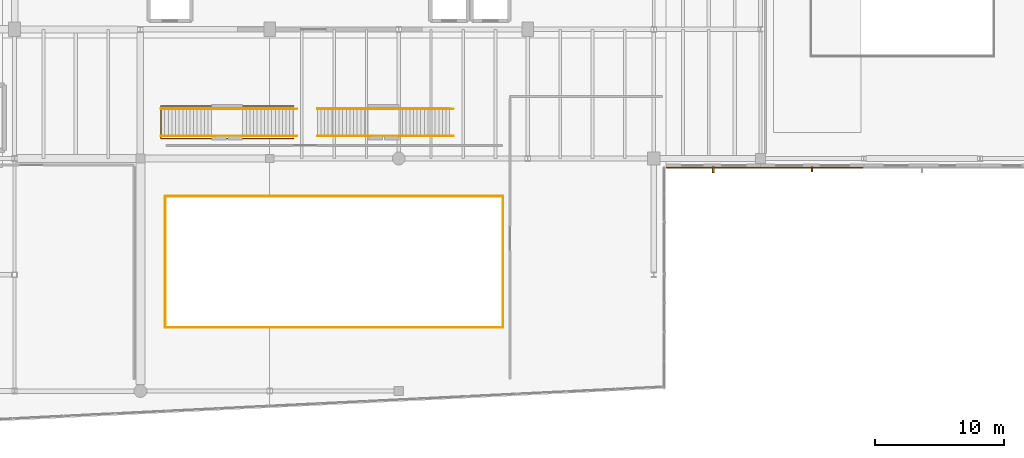
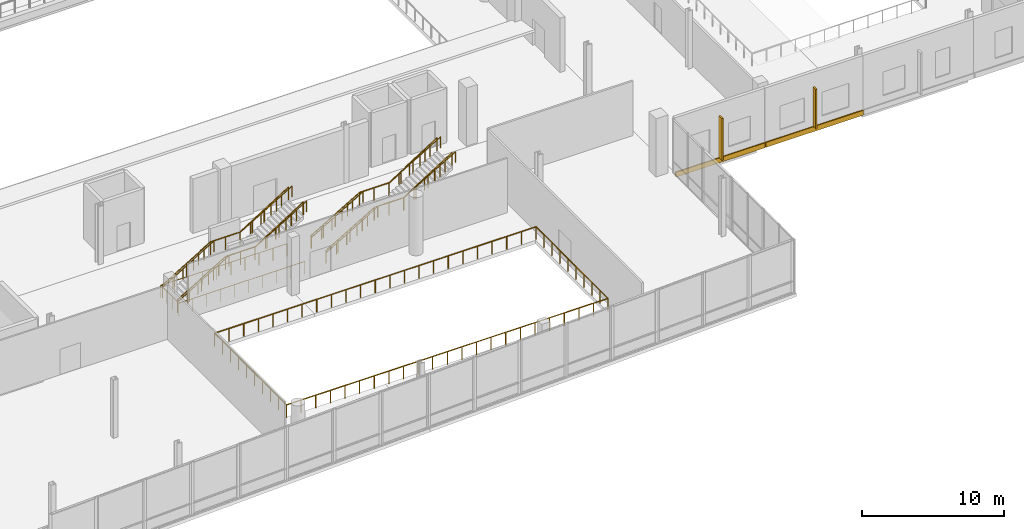
# One storey, part 71 of 81: 17 railings, 2 coverings, 2 shading devices.
"""IFC4 building model written with IfcOpenShell, lengths in metres."""

from ifc_helpers import new_model, si_unit, direction, frame, origin, origin_2d, place, context, subcontext, project, spatial, rectangle, circle, extrude, material, layer, layer_set, type_object, element, save


model = new_model("IFC4")

# Units and contexts
model_context = context("Model", 3, precision=1e-05, world=origin(), true_north=direction((0.0, 1.0)))
body_context = subcontext(model_context, "Body", "Model", "MODEL_VIEW")
ifc_project = project(units=[si_unit("LENGTHUNIT", "METRE"), si_unit("AREAUNIT", "SQUARE_METRE"), si_unit("VOLUMEUNIT", "CUBIC_METRE"), si_unit("PLANEANGLEUNIT", "RADIAN"), si_unit("MASSUNIT", "GRAM", prefix="KILO")], contexts=[model_context])

# Site, building, storey
site_placement = place(None, origin())
site = spatial("IfcSite", under=ifc_project, at=site_placement, CompositionType="ELEMENT")
building_placement = place(site_placement, origin())
building = spatial("IfcBuilding", under=site, at=building_placement, Name="Trimount Lyric Opera House", CompositionType="ELEMENT")
storey_placement = place(building_placement, frame((0.0, 0.0, 5.0)))
storey = spatial("IfcBuildingStorey", under=building, at=storey_placement, Name="L01", CompositionType="ELEMENT", Elevation=5.0)

# Coverings
ifc_material_1 = material(Name="Architectural Precast Concrete Spandrel Band", Category="concrete")
ifc_layer = layer(ifc_material_1, 0.094970703125)
ifc_layer_set = layer_set([ifc_layer], Name="CLD-WING1")
covering_type = type_object("IfcCoveringType", Name="CLD-WING1", PredefinedType="CLADDING", material=ifc_layer_set)
covering_1_placement = place(storey_placement, frame((126.0, 43.278564453125, -0.369873046875), z_axis=(0.0, 0.0, 1.0), x_axis=(-1.0, 0.0, 0.0)))
element("IfcCovering", 1, at=covering_1_placement, inside=storey, type_object=covering_type, Name="L01 precast slab-edge spandrel 152", PredefinedType="CLADDING", context=body_context, shape_type="SweptSolid", body=[
    extrude(rectangle(XDim=7.93994140625, YDim=0.094970703125, at=origin_2d()), origin(), (0.0, 0.0, 1.0), 0.419921875),
])
covering_2_placement = place(storey_placement, frame((118.340087890625, 43.278564453125, -0.369873046875), z_axis=(0.0, 0.0, 1.0), x_axis=(-1.0, 0.0, 0.0)))
element("IfcCovering", 2, at=covering_2_placement, inside=storey, type_object=covering_type, Name="L01 precast slab-edge spandrel 153", PredefinedType="CLADDING", context=body_context, shape_type="SweptSolid", body=[
    extrude(rectangle(XDim=7.260009765625, YDim=0.094970703125, at=origin_2d()), origin(), (0.0, 0.0, 1.0), 0.419921875),
])

# Railings
ifc_material_2 = material(Name="Bronze and Laminated Acoustic Glass", Category="glass")
railing_type_1 = type_object("IfcRailingType", Name="RL-BAL112", PredefinedType="BALUSTRADE", material=ifc_material_2)
railing_1_placement = place(storey_placement, frame((75.60009765625, 45.75, 0.166748046875)))
element("IfcRailing", 3, at=railing_1_placement, inside=storey, type_object=railing_type_1, Name="Winter-Garden Upper Promenade Stair balustrade S", PredefinedType="BALUSTRADE", context=body_context, shape_type="SweptSolid", body=[
    extrude(circle(Radius=0.02734375, at=origin_2d()), frame((0.0, 0.0, 1.0927734375), z_axis=(0.859296244711, 0.0, 0.511478214419), x_axis=(0.0, 1.0, 0.0)), (0.0, 0.0, 1.0), 4.561767578125),
    extrude(circle(Radius=0.02734375, at=origin_2d()), frame((3.919921875, 0.0, 3.42578125), z_axis=(1.0, 0.0, 0.0), x_axis=(0.0, 1.0, 0.0)), (0.0, 0.0, 1.0), 2.39990234375),
    extrude(circle(Radius=0.02734375, at=origin_2d()), frame((6.31982421875, 0.0, 3.42578125), z_axis=(0.843140013903, 0.0, 0.53769407376), x_axis=(0.0, 1.0, 0.0)), (0.0, 0.0, 1.0), 4.6494140625),
    extrude(circle(Radius=0.02099609375, at=origin_2d()), origin(), (0.0, 0.0, 1.0), 1.065185546875),
    extrude(circle(Radius=0.02099609375, at=origin_2d()), frame((0.97998046875, 0.0, 0.583251953125)), (0.0, 0.0, 1.0), 1.065185546875),
    extrude(circle(Radius=0.02099609375, at=origin_2d()), frame((1.9599609375, 0.0, 1.16650390625)), (0.0, 0.0, 1.0), 1.065185546875),
    extrude(circle(Radius=0.02099609375, at=origin_2d()), frame((2.93994140625, 0.0, 1.75)), (0.0, 0.0, 1.0), 1.065185546875),
    extrude(circle(Radius=0.02099609375, at=origin_2d()), frame((3.919921875, 0.0, 2.333251953125)), (0.0, 0.0, 1.0), 1.065185546875),
    extrude(circle(Radius=0.02099609375, at=origin_2d()), frame((5.119873046875, 0.0, 2.333251953125)), (0.0, 0.0, 1.0), 1.065185546875),
    extrude(circle(Radius=0.02099609375, at=origin_2d()), frame((6.31982421875, 0.0, 2.333251953125)), (0.0, 0.0, 1.0), 1.065185546875),
    extrude(circle(Radius=0.02099609375, at=origin_2d()), frame((7.2998046875, 0.0, 2.958251953125)), (0.0, 0.0, 1.0), 1.065185546875),
    extrude(circle(Radius=0.02099609375, at=origin_2d()), frame((8.27978515625, 0.0, 3.583251953125)), (0.0, 0.0, 1.0), 1.065185546875),
    extrude(circle(Radius=0.02099609375, at=origin_2d()), frame((9.260009765625, 0.0, 4.208251953125)), (0.0, 0.0, 1.0), 1.065185546875),
    extrude(circle(Radius=0.02099609375, at=origin_2d()), frame((10.239990234375, 0.0, 4.833251953125)), (0.0, 0.0, 1.0), 1.065185546875),
])
railing_2_placement = place(storey_placement, frame((75.60009765625, 47.85009765625, 0.166748046875)))
element("IfcRailing", 4, at=railing_2_placement, inside=storey, type_object=railing_type_1, Name="Winter-Garden Upper Promenade Stair balustrade N", PredefinedType="BALUSTRADE", context=body_context, shape_type="SweptSolid", body=[
    extrude(circle(Radius=0.02734375, at=origin_2d()), frame((0.0, 0.0, 1.0927734375), z_axis=(0.859296244711, 0.0, 0.511478214419), x_axis=(0.0, 1.0, 0.0)), (0.0, 0.0, 1.0), 4.561767578125),
    extrude(circle(Radius=0.02734375, at=origin_2d()), frame((3.919921875, 0.0, 3.42578125), z_axis=(1.0, 0.0, 0.0), x_axis=(0.0, 1.0, 0.0)), (0.0, 0.0, 1.0), 2.39990234375),
    extrude(circle(Radius=0.02734375, at=origin_2d()), frame((6.31982421875, 0.0, 3.42578125), z_axis=(0.843140013903, 0.0, 0.53769407376), x_axis=(0.0, 1.0, 0.0)), (0.0, 0.0, 1.0), 4.6494140625),
    extrude(circle(Radius=0.02099609375, at=origin_2d()), origin(), (0.0, 0.0, 1.0), 1.065185546875),
    extrude(circle(Radius=0.02099609375, at=origin_2d()), frame((0.97998046875, 0.0, 0.583251953125)), (0.0, 0.0, 1.0), 1.065185546875),
    extrude(circle(Radius=0.02099609375, at=origin_2d()), frame((1.9599609375, 0.0, 1.16650390625)), (0.0, 0.0, 1.0), 1.065185546875),
    extrude(circle(Radius=0.02099609375, at=origin_2d()), frame((2.93994140625, 0.0, 1.75)), (0.0, 0.0, 1.0), 1.065185546875),
    extrude(circle(Radius=0.02099609375, at=origin_2d()), frame((3.919921875, 0.0, 2.333251953125)), (0.0, 0.0, 1.0), 1.065185546875),
    extrude(circle(Radius=0.02099609375, at=origin_2d()), frame((5.119873046875, 0.0, 2.333251953125)), (0.0, 0.0, 1.0), 1.065185546875),
    extrude(circle(Radius=0.02099609375, at=origin_2d()), frame((6.31982421875, 0.0, 2.333251953125)), (0.0, 0.0, 1.0), 1.065185546875),
    extrude(circle(Radius=0.02099609375, at=origin_2d()), frame((7.2998046875, 0.0, 2.958251953125)), (0.0, 0.0, 1.0), 1.065185546875),
    extrude(circle(Radius=0.02099609375, at=origin_2d()), frame((8.27978515625, 0.0, 3.583251953125)), (0.0, 0.0, 1.0), 1.065185546875),
    extrude(circle(Radius=0.02099609375, at=origin_2d()), frame((9.260009765625, 0.0, 4.208251953125)), (0.0, 0.0, 1.0), 1.065185546875),
    extrude(circle(Radius=0.02099609375, at=origin_2d()), frame((10.239990234375, 0.0, 4.833251953125)), (0.0, 0.0, 1.0), 1.065185546875),
])
railing_3_placement = place(storey_placement, frame((87.699951171875, 45.75, 0.166748046875)))
element("IfcRailing", 5, at=railing_3_placement, inside=storey, type_object=railing_type_1, Name="Winter-Garden East Promenade Stair balustrade S", PredefinedType="BALUSTRADE", context=body_context, shape_type="SweptSolid", body=[
    extrude(circle(Radius=0.02734375, at=origin_2d()), frame((0.0, 0.0, 1.0927734375), z_axis=(0.859310244771, 0.0, 0.511454693235), x_axis=(0.0, 1.0, 0.0)), (0.0, 0.0, 1.0), 4.56201171875),
    extrude(circle(Radius=0.02734375, at=origin_2d()), frame((3.920166015625, 0.0, 3.42578125), z_axis=(1.0, 0.0, 0.0), x_axis=(0.0, 1.0, 0.0)), (0.0, 0.0, 1.0), 2.39990234375),
    extrude(circle(Radius=0.02734375, at=origin_2d()), frame((6.320068359375, 0.0, 3.42578125), z_axis=(0.843124831705, 0.0, 0.537717879712), x_axis=(0.0, 1.0, 0.0)), (0.0, 0.0, 1.0), 4.649169921875),
    extrude(circle(Radius=0.02099609375, at=origin_2d()), origin(), (0.0, 0.0, 1.0), 1.065185546875),
    extrude(circle(Radius=0.02099609375, at=origin_2d()), frame((0.97998046875, 0.0, 0.583251953125)), (0.0, 0.0, 1.0), 1.065185546875),
    extrude(circle(Radius=0.02099609375, at=origin_2d()), frame((1.9599609375, 0.0, 1.16650390625)), (0.0, 0.0, 1.0), 1.065185546875),
    extrude(circle(Radius=0.02099609375, at=origin_2d()), frame((2.940185546875, 0.0, 1.75)), (0.0, 0.0, 1.0), 1.065185546875),
    extrude(circle(Radius=0.02099609375, at=origin_2d()), frame((3.920166015625, 0.0, 2.333251953125)), (0.0, 0.0, 1.0), 1.065185546875),
    extrude(circle(Radius=0.02099609375, at=origin_2d()), frame((5.1201171875, 0.0, 2.333251953125)), (0.0, 0.0, 1.0), 1.065185546875),
    extrude(circle(Radius=0.02099609375, at=origin_2d()), frame((6.320068359375, 0.0, 2.333251953125)), (0.0, 0.0, 1.0), 1.065185546875),
    extrude(circle(Radius=0.02099609375, at=origin_2d()), frame((7.300048828125, 0.0, 2.958251953125)), (0.0, 0.0, 1.0), 1.065185546875),
    extrude(circle(Radius=0.02099609375, at=origin_2d()), frame((8.280029296875, 0.0, 3.583251953125)), (0.0, 0.0, 1.0), 1.065185546875),
    extrude(circle(Radius=0.02099609375, at=origin_2d()), frame((9.260009765625, 0.0, 4.208251953125)), (0.0, 0.0, 1.0), 1.065185546875),
    extrude(circle(Radius=0.02099609375, at=origin_2d()), frame((10.239990234375, 0.0, 4.833251953125)), (0.0, 0.0, 1.0), 1.065185546875),
])
railing_4_placement = place(storey_placement, frame((87.699951171875, 47.85009765625, 0.166748046875)))
element("IfcRailing", 6, at=railing_4_placement, inside=storey, type_object=railing_type_1, Name="Winter-Garden East Promenade Stair balustrade N", PredefinedType="BALUSTRADE", context=body_context, shape_type="SweptSolid", body=[
    extrude(circle(Radius=0.02734375, at=origin_2d()), frame((0.0, 0.0, 1.0927734375), z_axis=(0.859310244771, 0.0, 0.511454693235), x_axis=(0.0, 1.0, 0.0)), (0.0, 0.0, 1.0), 4.56201171875),
    extrude(circle(Radius=0.02734375, at=origin_2d()), frame((3.920166015625, 0.0, 3.42578125), z_axis=(1.0, 0.0, 0.0), x_axis=(0.0, 1.0, 0.0)), (0.0, 0.0, 1.0), 2.39990234375),
    extrude(circle(Radius=0.02734375, at=origin_2d()), frame((6.320068359375, 0.0, 3.42578125), z_axis=(0.843124831705, 0.0, 0.537717879712), x_axis=(0.0, 1.0, 0.0)), (0.0, 0.0, 1.0), 4.649169921875),
    extrude(circle(Radius=0.02099609375, at=origin_2d()), origin(), (0.0, 0.0, 1.0), 1.065185546875),
    extrude(circle(Radius=0.02099609375, at=origin_2d()), frame((0.97998046875, 0.0, 0.583251953125)), (0.0, 0.0, 1.0), 1.065185546875),
    extrude(circle(Radius=0.02099609375, at=origin_2d()), frame((1.9599609375, 0.0, 1.16650390625)), (0.0, 0.0, 1.0), 1.065185546875),
    extrude(circle(Radius=0.02099609375, at=origin_2d()), frame((2.940185546875, 0.0, 1.75)), (0.0, 0.0, 1.0), 1.065185546875),
    extrude(circle(Radius=0.02099609375, at=origin_2d()), frame((3.920166015625, 0.0, 2.333251953125)), (0.0, 0.0, 1.0), 1.065185546875),
    extrude(circle(Radius=0.02099609375, at=origin_2d()), frame((5.1201171875, 0.0, 2.333251953125)), (0.0, 0.0, 1.0), 1.065185546875),
    extrude(circle(Radius=0.02099609375, at=origin_2d()), frame((6.320068359375, 0.0, 2.333251953125)), (0.0, 0.0, 1.0), 1.065185546875),
    extrude(circle(Radius=0.02099609375, at=origin_2d()), frame((7.300048828125, 0.0, 2.958251953125)), (0.0, 0.0, 1.0), 1.065185546875),
    extrude(circle(Radius=0.02099609375, at=origin_2d()), frame((8.280029296875, 0.0, 3.583251953125)), (0.0, 0.0, 1.0), 1.065185546875),
    extrude(circle(Radius=0.02099609375, at=origin_2d()), frame((9.260009765625, 0.0, 4.208251953125)), (0.0, 0.0, 1.0), 1.065185546875),
    extrude(circle(Radius=0.02099609375, at=origin_2d()), frame((10.239990234375, 0.0, 4.833251953125)), (0.0, 0.0, 1.0), 1.065185546875),
])
railing_5_placement = place(storey_placement, frame((85.85009765625, 45.5400390625, 0.0)))
element("IfcRailing", 7, at=railing_5_placement, inside=storey, type_object=railing_type_1, Name="L01 feature stair well guard G1", PredefinedType="BALUSTRADE", context=body_context, shape_type="SweptSolid", body=[
    extrude(circle(Radius=0.02734375, at=origin_2d()), frame((0.0, 0.0, 1.0927734375), z_axis=(-1.0, 0.0, 0.0), x_axis=(0.0, -1.0, 0.0)), (0.0, 0.0, 1.0), 10.260009765625),
    extrude(circle(Radius=0.02734375, at=origin_2d()), frame((-10.260009765625, 0.0, 1.0927734375), z_axis=(0.0, 1.0, 0.0), x_axis=(-1.0, 0.0, 0.0)), (0.0, 0.0, 1.0), 2.52001953125),
    extrude(circle(Radius=0.02734375, at=origin_2d()), frame((-10.260009765625, 2.52001953125, 1.0927734375), z_axis=(1.0, 0.0, 0.0), x_axis=(0.0, 1.0, 0.0)), (0.0, 0.0, 1.0), 10.260009765625),
    extrude(circle(Radius=0.02099609375, at=origin_2d()), origin(), (0.0, 0.0, 1.0), 1.065185546875),
    extrude(circle(Radius=0.02099609375, at=origin_2d()), frame((-1.139892578125, 0.0, 0.0)), (0.0, 0.0, 1.0), 1.065185546875),
    extrude(circle(Radius=0.02099609375, at=origin_2d()), frame((-2.280029296875, 0.0, 0.0)), (0.0, 0.0, 1.0), 1.065185546875),
    extrude(circle(Radius=0.02099609375, at=origin_2d()), frame((-3.419921875, 0.0, 0.0)), (0.0, 0.0, 1.0), 1.065185546875),
    extrude(circle(Radius=0.02099609375, at=origin_2d()), frame((-4.56005859375, 0.0, 0.0)), (0.0, 0.0, 1.0), 1.065185546875),
    extrude(circle(Radius=0.02099609375, at=origin_2d()), frame((-5.699951171875, 0.0, 0.0)), (0.0, 0.0, 1.0), 1.065185546875),
    extrude(circle(Radius=0.02099609375, at=origin_2d()), frame((-6.840087890625, 0.0, 0.0)), (0.0, 0.0, 1.0), 1.065185546875),
    extrude(circle(Radius=0.02099609375, at=origin_2d()), frame((-7.97998046875, 0.0, 0.0)), (0.0, 0.0, 1.0), 1.065185546875),
    extrude(circle(Radius=0.02099609375, at=origin_2d()), frame((-9.1201171875, 0.0, 0.0)), (0.0, 0.0, 1.0), 1.065185546875),
    extrude(circle(Radius=0.02099609375, at=origin_2d()), frame((-10.260009765625, 0.0, 0.0)), (0.0, 0.0, 1.0), 1.065185546875),
    extrude(circle(Radius=0.02099609375, at=origin_2d()), frame((-10.260009765625, 0.840087890625, 0.0)), (0.0, 0.0, 1.0), 1.065185546875),
    extrude(circle(Radius=0.02099609375, at=origin_2d()), frame((-10.260009765625, 1.679931640625, 0.0)), (0.0, 0.0, 1.0), 1.065185546875),
    extrude(circle(Radius=0.02099609375, at=origin_2d()), frame((-10.260009765625, 2.52001953125, 0.0)), (0.0, 0.0, 1.0), 1.065185546875),
    extrude(circle(Radius=0.02099609375, at=origin_2d()), frame((-9.1201171875, 2.52001953125, 0.0)), (0.0, 0.0, 1.0), 1.065185546875),
    extrude(circle(Radius=0.02099609375, at=origin_2d()), frame((-7.97998046875, 2.52001953125, 0.0)), (0.0, 0.0, 1.0), 1.065185546875),
    extrude(circle(Radius=0.02099609375, at=origin_2d()), frame((-6.840087890625, 2.52001953125, 0.0)), (0.0, 0.0, 1.0), 1.065185546875),
    extrude(circle(Radius=0.02099609375, at=origin_2d()), frame((-5.699951171875, 2.52001953125, 0.0)), (0.0, 0.0, 1.0), 1.065185546875),
    extrude(circle(Radius=0.02099609375, at=origin_2d()), frame((-4.56005859375, 2.52001953125, 0.0)), (0.0, 0.0, 1.0), 1.065185546875),
    extrude(circle(Radius=0.02099609375, at=origin_2d()), frame((-3.419921875, 2.52001953125, 0.0)), (0.0, 0.0, 1.0), 1.065185546875),
    extrude(circle(Radius=0.02099609375, at=origin_2d()), frame((-2.280029296875, 2.52001953125, 0.0)), (0.0, 0.0, 1.0), 1.065185546875),
    extrude(circle(Radius=0.02099609375, at=origin_2d()), frame((-1.139892578125, 2.52001953125, 0.0)), (0.0, 0.0, 1.0), 1.065185546875),
    extrude(circle(Radius=0.02099609375, at=origin_2d()), frame((0.0, 2.52001953125, 0.0)), (0.0, 0.0, 1.0), 1.065185546875),
])
railing_6_placement = place(storey_placement, frame((75.919921875, 30.919921875, 0.0)))
element("IfcRailing", 8, at=railing_6_placement, inside=storey, type_object=railing_type_1, Name="L01 atrium and balcony guard GRD-WG-L01-S", PredefinedType="BALUSTRADE", context=body_context, shape_type="SweptSolid", body=[
    extrude(circle(Radius=0.02734375, at=origin_2d()), frame((0.0, 0.0, 1.0927734375), z_axis=(1.0, 0.0, 0.0), x_axis=(0.0, 1.0, 0.0)), (0.0, 0.0, 1.0), 26.16015625),
    extrude(circle(Radius=0.02099609375, at=origin_2d()), origin(), (0.0, 0.0, 1.0), 1.065185546875),
    extrude(circle(Radius=0.02099609375, at=origin_2d()), frame((1.189208984375, 0.0, 0.0)), (0.0, 0.0, 1.0), 1.065185546875),
    extrude(circle(Radius=0.02099609375, at=origin_2d()), frame((2.378173828125, 0.0, 0.0)), (0.0, 0.0, 1.0), 1.065185546875),
    extrude(circle(Radius=0.02099609375, at=origin_2d()), frame((3.5673828125, 0.0, 0.0)), (0.0, 0.0, 1.0), 1.065185546875),
    extrude(circle(Radius=0.02099609375, at=origin_2d()), frame((4.75634765625, 0.0, 0.0)), (0.0, 0.0, 1.0), 1.065185546875),
    extrude(circle(Radius=0.02099609375, at=origin_2d()), frame((5.945556640625, 0.0, 0.0)), (0.0, 0.0, 1.0), 1.065185546875),
    extrude(circle(Radius=0.02099609375, at=origin_2d()), frame((7.134521484375, 0.0, 0.0)), (0.0, 0.0, 1.0), 1.065185546875),
    extrude(circle(Radius=0.02099609375, at=origin_2d()), frame((8.32373046875, 0.0, 0.0)), (0.0, 0.0, 1.0), 1.065185546875),
    extrude(circle(Radius=0.02099609375, at=origin_2d()), frame((9.5126953125, 0.0, 0.0)), (0.0, 0.0, 1.0), 1.065185546875),
    extrude(circle(Radius=0.02099609375, at=origin_2d()), frame((10.701904296875, 0.0, 0.0)), (0.0, 0.0, 1.0), 1.065185546875),
    extrude(circle(Radius=0.02099609375, at=origin_2d()), frame((11.890869140625, 0.0, 0.0)), (0.0, 0.0, 1.0), 1.065185546875),
    extrude(circle(Radius=0.02099609375, at=origin_2d()), frame((13.080078125, 0.0, 0.0)), (0.0, 0.0, 1.0), 1.065185546875),
    extrude(circle(Radius=0.02099609375, at=origin_2d()), frame((14.269287109375, 0.0, 0.0)), (0.0, 0.0, 1.0), 1.065185546875),
    extrude(circle(Radius=0.02099609375, at=origin_2d()), frame((15.458251953125, 0.0, 0.0)), (0.0, 0.0, 1.0), 1.065185546875),
    extrude(circle(Radius=0.02099609375, at=origin_2d()), frame((16.6474609375, 0.0, 0.0)), (0.0, 0.0, 1.0), 1.065185546875),
    extrude(circle(Radius=0.02099609375, at=origin_2d()), frame((17.83642578125, 0.0, 0.0)), (0.0, 0.0, 1.0), 1.065185546875),
    extrude(circle(Radius=0.02099609375, at=origin_2d()), frame((19.025634765625, 0.0, 0.0)), (0.0, 0.0, 1.0), 1.065185546875),
    extrude(circle(Radius=0.02099609375, at=origin_2d()), frame((20.214599609375, 0.0, 0.0)), (0.0, 0.0, 1.0), 1.065185546875),
    extrude(circle(Radius=0.02099609375, at=origin_2d()), frame((21.40380859375, 0.0, 0.0)), (0.0, 0.0, 1.0), 1.065185546875),
    extrude(circle(Radius=0.02099609375, at=origin_2d()), frame((22.5927734375, 0.0, 0.0)), (0.0, 0.0, 1.0), 1.065185546875),
    extrude(circle(Radius=0.02099609375, at=origin_2d()), frame((23.781982421875, 0.0, 0.0)), (0.0, 0.0, 1.0), 1.065185546875),
    extrude(circle(Radius=0.02099609375, at=origin_2d()), frame((24.970947265625, 0.0, 0.0)), (0.0, 0.0, 1.0), 1.065185546875),
    extrude(circle(Radius=0.02099609375, at=origin_2d()), frame((26.16015625, 0.0, 0.0)), (0.0, 0.0, 1.0), 1.065185546875),
])
railing_7_placement = place(storey_placement, frame((102.080078125, 30.919921875, 0.0)))
element("IfcRailing", 9, at=railing_7_placement, inside=storey, type_object=railing_type_1, Name="L01 atrium and balcony guard GRD-WG-L01-E", PredefinedType="BALUSTRADE", context=body_context, shape_type="SweptSolid", body=[
    extrude(circle(Radius=0.02734375, at=origin_2d()), frame((0.0, 0.0, 1.0927734375), z_axis=(0.0, 1.0, 0.0), x_axis=(-1.0, 0.0, 0.0)), (0.0, 0.0, 1.0), 10.16015625),
    extrude(circle(Radius=0.02099609375, at=origin_2d()), origin(), (0.0, 0.0, 1.0), 1.065185546875),
    extrude(circle(Radius=0.02099609375, at=origin_2d()), frame((0.0, 1.12890625, 0.0)), (0.0, 0.0, 1.0), 1.065185546875),
    extrude(circle(Radius=0.02099609375, at=origin_2d()), frame((0.0, 2.2578125, 0.0)), (0.0, 0.0, 1.0), 1.065185546875),
    extrude(circle(Radius=0.02099609375, at=origin_2d()), frame((0.0, 3.38671875, 0.0)), (0.0, 0.0, 1.0), 1.065185546875),
    extrude(circle(Radius=0.02099609375, at=origin_2d()), frame((0.0, 4.515625, 0.0)), (0.0, 0.0, 1.0), 1.065185546875),
    extrude(circle(Radius=0.02099609375, at=origin_2d()), frame((0.0, 5.64453125, 0.0)), (0.0, 0.0, 1.0), 1.065185546875),
    extrude(circle(Radius=0.02099609375, at=origin_2d()), frame((0.0, 6.7734375, 0.0)), (0.0, 0.0, 1.0), 1.065185546875),
    extrude(circle(Radius=0.02099609375, at=origin_2d()), frame((0.0, 7.90234375, 0.0)), (0.0, 0.0, 1.0), 1.065185546875),
    extrude(circle(Radius=0.02099609375, at=origin_2d()), frame((0.0, 9.03125, 0.0)), (0.0, 0.0, 1.0), 1.065185546875),
    extrude(circle(Radius=0.02099609375, at=origin_2d()), frame((0.0, 10.16015625, 0.0)), (0.0, 0.0, 1.0), 1.065185546875),
])
railing_8_placement = place(storey_placement, frame((102.080078125, 41.080078125, 0.0)))
element("IfcRailing", 10, at=railing_8_placement, inside=storey, type_object=railing_type_1, Name="L01 atrium and balcony guard GRD-WG-L01-N", PredefinedType="BALUSTRADE", context=body_context, shape_type="SweptSolid", body=[
    extrude(circle(Radius=0.02734375, at=origin_2d()), frame((0.0, 0.0, 1.0927734375), z_axis=(-1.0, 0.0, 0.0), x_axis=(0.0, -1.0, 0.0)), (0.0, 0.0, 1.0), 26.16015625),
    extrude(circle(Radius=0.02099609375, at=origin_2d()), origin(), (0.0, 0.0, 1.0), 1.065185546875),
    extrude(circle(Radius=0.02099609375, at=origin_2d()), frame((-1.189208984375, 0.0, 0.0)), (0.0, 0.0, 1.0), 1.065185546875),
    extrude(circle(Radius=0.02099609375, at=origin_2d()), frame((-2.378173828125, 0.0, 0.0)), (0.0, 0.0, 1.0), 1.065185546875),
    extrude(circle(Radius=0.02099609375, at=origin_2d()), frame((-3.5673828125, 0.0, 0.0)), (0.0, 0.0, 1.0), 1.065185546875),
    extrude(circle(Radius=0.02099609375, at=origin_2d()), frame((-4.75634765625, 0.0, 0.0)), (0.0, 0.0, 1.0), 1.065185546875),
    extrude(circle(Radius=0.02099609375, at=origin_2d()), frame((-5.945556640625, 0.0, 0.0)), (0.0, 0.0, 1.0), 1.065185546875),
    extrude(circle(Radius=0.02099609375, at=origin_2d()), frame((-7.134521484375, 0.0, 0.0)), (0.0, 0.0, 1.0), 1.065185546875),
    extrude(circle(Radius=0.02099609375, at=origin_2d()), frame((-8.32373046875, 0.0, 0.0)), (0.0, 0.0, 1.0), 1.065185546875),
    extrude(circle(Radius=0.02099609375, at=origin_2d()), frame((-9.5126953125, 0.0, 0.0)), (0.0, 0.0, 1.0), 1.065185546875),
    extrude(circle(Radius=0.02099609375, at=origin_2d()), frame((-10.701904296875, 0.0, 0.0)), (0.0, 0.0, 1.0), 1.065185546875),
    extrude(circle(Radius=0.02099609375, at=origin_2d()), frame((-11.890869140625, 0.0, 0.0)), (0.0, 0.0, 1.0), 1.065185546875),
    extrude(circle(Radius=0.02099609375, at=origin_2d()), frame((-13.080078125, 0.0, 0.0)), (0.0, 0.0, 1.0), 1.065185546875),
    extrude(circle(Radius=0.02099609375, at=origin_2d()), frame((-14.269287109375, 0.0, 0.0)), (0.0, 0.0, 1.0), 1.065185546875),
    extrude(circle(Radius=0.02099609375, at=origin_2d()), frame((-15.458251953125, 0.0, 0.0)), (0.0, 0.0, 1.0), 1.065185546875),
    extrude(circle(Radius=0.02099609375, at=origin_2d()), frame((-16.6474609375, 0.0, 0.0)), (0.0, 0.0, 1.0), 1.065185546875),
    extrude(circle(Radius=0.02099609375, at=origin_2d()), frame((-17.83642578125, 0.0, 0.0)), (0.0, 0.0, 1.0), 1.065185546875),
    extrude(circle(Radius=0.02099609375, at=origin_2d()), frame((-19.025634765625, 0.0, 0.0)), (0.0, 0.0, 1.0), 1.065185546875),
    extrude(circle(Radius=0.02099609375, at=origin_2d()), frame((-20.214599609375, 0.0, 0.0)), (0.0, 0.0, 1.0), 1.065185546875),
    extrude(circle(Radius=0.02099609375, at=origin_2d()), frame((-21.40380859375, 0.0, 0.0)), (0.0, 0.0, 1.0), 1.065185546875),
    extrude(circle(Radius=0.02099609375, at=origin_2d()), frame((-22.5927734375, 0.0, 0.0)), (0.0, 0.0, 1.0), 1.065185546875),
    extrude(circle(Radius=0.02099609375, at=origin_2d()), frame((-23.781982421875, 0.0, 0.0)), (0.0, 0.0, 1.0), 1.065185546875),
    extrude(circle(Radius=0.02099609375, at=origin_2d()), frame((-24.970947265625, 0.0, 0.0)), (0.0, 0.0, 1.0), 1.065185546875),
    extrude(circle(Radius=0.02099609375, at=origin_2d()), frame((-26.16015625, 0.0, 0.0)), (0.0, 0.0, 1.0), 1.065185546875),
])
railing_9_placement = place(storey_placement, frame((75.919921875, 41.080078125, 0.0)))
element("IfcRailing", 11, at=railing_9_placement, inside=storey, type_object=railing_type_1, Name="L01 atrium and balcony guard GRD-WG-L01-W", PredefinedType="BALUSTRADE", context=body_context, shape_type="SweptSolid", body=[
    extrude(circle(Radius=0.02734375, at=origin_2d()), frame((0.0, 0.0, 1.0927734375), z_axis=(0.0, -1.0, 0.0), x_axis=(1.0, 0.0, 0.0)), (0.0, 0.0, 1.0), 10.16015625),
    extrude(circle(Radius=0.02099609375, at=origin_2d()), origin(), (0.0, 0.0, 1.0), 1.065185546875),
    extrude(circle(Radius=0.02099609375, at=origin_2d()), frame((0.0, -1.12890625, 0.0)), (0.0, 0.0, 1.0), 1.065185546875),
    extrude(circle(Radius=0.02099609375, at=origin_2d()), frame((0.0, -2.2578125, 0.0)), (0.0, 0.0, 1.0), 1.065185546875),
    extrude(circle(Radius=0.02099609375, at=origin_2d()), frame((0.0, -3.38671875, 0.0)), (0.0, 0.0, 1.0), 1.065185546875),
    extrude(circle(Radius=0.02099609375, at=origin_2d()), frame((0.0, -4.515625, 0.0)), (0.0, 0.0, 1.0), 1.065185546875),
    extrude(circle(Radius=0.02099609375, at=origin_2d()), frame((0.0, -5.64453125, 0.0)), (0.0, 0.0, 1.0), 1.065185546875),
    extrude(circle(Radius=0.02099609375, at=origin_2d()), frame((0.0, -6.7734375, 0.0)), (0.0, 0.0, 1.0), 1.065185546875),
    extrude(circle(Radius=0.02099609375, at=origin_2d()), frame((0.0, -7.90234375, 0.0)), (0.0, 0.0, 1.0), 1.065185546875),
    extrude(circle(Radius=0.02099609375, at=origin_2d()), frame((0.0, -9.03125, 0.0)), (0.0, 0.0, 1.0), 1.065185546875),
    extrude(circle(Radius=0.02099609375, at=origin_2d()), frame((0.0, -10.16015625, 0.0)), (0.0, 0.0, 1.0), 1.065185546875),
])
ifc_material_3 = material(Name="Brushed Stainless Steel 316", Category="steel")
railing_type_2 = type_object("IfcRailingType", Name="RL-HND092", PredefinedType="HANDRAIL", material=ifc_material_3)
railing_10_placement = place(storey_placement, frame((75.60009765625, 45.75, 0.166748046875)))
element("IfcRailing", 12, at=railing_10_placement, inside=storey, type_object=railing_type_2, Name="Winter-Garden Upper Promenade Stair flight 1 handrail S", PredefinedType="HANDRAIL", context=body_context, shape_type="SweptSolid", body=[
    extrude(circle(Radius=0.0224609375, at=origin_2d()), frame((0.0, 0.0, 0.8974609375), z_axis=(0.859004831559, 0.0, 0.51196747881), x_axis=(0.0, 1.0, 0.0)), (0.0, 0.0, 1.0), 4.889404296875),
    extrude(circle(Radius=0.02099609375, at=origin_2d()), origin(), (0.0, 0.0, 1.0), 0.875),
    extrude(circle(Radius=0.02099609375, at=origin_2d()), frame((0.840087890625, 0.0, 0.500732421875)), (0.0, 0.0, 1.0), 0.875),
    extrude(circle(Radius=0.02099609375, at=origin_2d()), frame((1.679931640625, 0.0, 1.001220703125)), (0.0, 0.0, 1.0), 0.875),
    extrude(circle(Radius=0.02099609375, at=origin_2d()), frame((2.52001953125, 0.0, 1.501953125)), (0.0, 0.0, 1.0), 0.875),
    extrude(circle(Radius=0.02099609375, at=origin_2d()), frame((3.35986328125, 0.0, 2.00244140625)), (0.0, 0.0, 1.0), 0.875),
    extrude(circle(Radius=0.02099609375, at=origin_2d()), frame((4.199951171875, 0.0, 2.503173828125)), (0.0, 0.0, 1.0), 0.875),
])
railing_11_placement = place(storey_placement, frame((81.919921875, 45.75, 2.666748046875)))
element("IfcRailing", 13, at=railing_11_placement, inside=storey, type_object=railing_type_2, Name="Winter-Garden Upper Promenade Stair flight 2 handrail S", PredefinedType="HANDRAIL", context=body_context, shape_type="SweptSolid", body=[
    extrude(circle(Radius=0.0224609375, at=origin_2d()), frame((0.0, 0.0, 0.8974609375), z_axis=(0.859017918803, 0.0, 0.511945519733), x_axis=(0.0, 1.0, 0.0)), (0.0, 0.0, 1.0), 4.8896484375),
    extrude(circle(Radius=0.02099609375, at=origin_2d()), origin(), (0.0, 0.0, 1.0), 0.875),
    extrude(circle(Radius=0.02099609375, at=origin_2d()), frame((0.840087890625, 0.0, 0.500732421875)), (0.0, 0.0, 1.0), 0.875),
    extrude(circle(Radius=0.02099609375, at=origin_2d()), frame((1.68017578125, 0.0, 1.001220703125)), (0.0, 0.0, 1.0), 0.875),
    extrude(circle(Radius=0.02099609375, at=origin_2d()), frame((2.52001953125, 0.0, 1.501953125)), (0.0, 0.0, 1.0), 0.875),
    extrude(circle(Radius=0.02099609375, at=origin_2d()), frame((3.360107421875, 0.0, 2.00244140625)), (0.0, 0.0, 1.0), 0.875),
    extrude(circle(Radius=0.02099609375, at=origin_2d()), frame((4.2001953125, 0.0, 2.503173828125)), (0.0, 0.0, 1.0), 0.875),
])
railing_12_placement = place(storey_placement, frame((75.60009765625, 47.85009765625, 0.166748046875)))
element("IfcRailing", 14, at=railing_12_placement, inside=storey, type_object=railing_type_2, Name="Winter-Garden Upper Promenade Stair flight 1 handrail N", PredefinedType="HANDRAIL", context=body_context, shape_type="SweptSolid", body=[
    extrude(circle(Radius=0.0224609375, at=origin_2d()), frame((0.0, 0.0, 0.8974609375), z_axis=(0.859004831559, 0.0, 0.51196747881), x_axis=(0.0, 1.0, 0.0)), (0.0, 0.0, 1.0), 4.889404296875),
    extrude(circle(Radius=0.02099609375, at=origin_2d()), origin(), (0.0, 0.0, 1.0), 0.875),
    extrude(circle(Radius=0.02099609375, at=origin_2d()), frame((0.840087890625, 0.0, 0.500732421875)), (0.0, 0.0, 1.0), 0.875),
    extrude(circle(Radius=0.02099609375, at=origin_2d()), frame((1.679931640625, 0.0, 1.001220703125)), (0.0, 0.0, 1.0), 0.875),
    extrude(circle(Radius=0.02099609375, at=origin_2d()), frame((2.52001953125, 0.0, 1.501953125)), (0.0, 0.0, 1.0), 0.875),
    extrude(circle(Radius=0.02099609375, at=origin_2d()), frame((3.35986328125, 0.0, 2.00244140625)), (0.0, 0.0, 1.0), 0.875),
    extrude(circle(Radius=0.02099609375, at=origin_2d()), frame((4.199951171875, 0.0, 2.503173828125)), (0.0, 0.0, 1.0), 0.875),
])
railing_13_placement = place(storey_placement, frame((81.919921875, 47.85009765625, 2.666748046875)))
element("IfcRailing", 15, at=railing_13_placement, inside=storey, type_object=railing_type_2, Name="Winter-Garden Upper Promenade Stair flight 2 handrail N", PredefinedType="HANDRAIL", context=body_context, shape_type="SweptSolid", body=[
    extrude(circle(Radius=0.0224609375, at=origin_2d()), frame((0.0, 0.0, 0.8974609375), z_axis=(0.859017918803, 0.0, 0.511945519733), x_axis=(0.0, 1.0, 0.0)), (0.0, 0.0, 1.0), 4.8896484375),
    extrude(circle(Radius=0.02099609375, at=origin_2d()), origin(), (0.0, 0.0, 1.0), 0.875),
    extrude(circle(Radius=0.02099609375, at=origin_2d()), frame((0.840087890625, 0.0, 0.500732421875)), (0.0, 0.0, 1.0), 0.875),
    extrude(circle(Radius=0.02099609375, at=origin_2d()), frame((1.68017578125, 0.0, 1.001220703125)), (0.0, 0.0, 1.0), 0.875),
    extrude(circle(Radius=0.02099609375, at=origin_2d()), frame((2.52001953125, 0.0, 1.501953125)), (0.0, 0.0, 1.0), 0.875),
    extrude(circle(Radius=0.02099609375, at=origin_2d()), frame((3.360107421875, 0.0, 2.00244140625)), (0.0, 0.0, 1.0), 0.875),
    extrude(circle(Radius=0.02099609375, at=origin_2d()), frame((4.2001953125, 0.0, 2.503173828125)), (0.0, 0.0, 1.0), 0.875),
])
for number, where, name in (
    (16, (87.699951171875, 45.75, 0.166748046875), "Winter-Garden East Promenade Stair flight 1 handrail S"),
    (17, (94.02001953125, 45.75, 2.666748046875), "Winter-Garden East Promenade Stair flight 2 handrail S"),
    (18, (87.699951171875, 47.85009765625, 0.166748046875), "Winter-Garden East Promenade Stair flight 1 handrail N"),
    (19, (94.02001953125, 47.85009765625, 2.666748046875), "Winter-Garden East Promenade Stair flight 2 handrail N"),
):
    element("IfcRailing", number, at=place(storey_placement, frame(where)), inside=storey, type_object=railing_type_2, Name=name, PredefinedType="HANDRAIL", context=body_context, shape_type="SweptSolid", body=[
        extrude(circle(Radius=0.0224609375, at=origin_2d()), frame((0.0, 0.0, 0.8974609375), z_axis=(0.859004831559, 0.0, 0.51196747881), x_axis=(0.0, 1.0, 0.0)), (0.0, 0.0, 1.0), 4.889404296875),
        extrude(circle(Radius=0.02099609375, at=origin_2d()), origin(), (0.0, 0.0, 1.0), 0.875),
        extrude(circle(Radius=0.02099609375, at=origin_2d()), frame((0.840087890625, 0.0, 0.500732421875)), (0.0, 0.0, 1.0), 0.875),
        extrude(circle(Radius=0.02099609375, at=origin_2d()), frame((1.679931640625, 0.0, 1.001220703125)), (0.0, 0.0, 1.0), 0.875),
        extrude(circle(Radius=0.02099609375, at=origin_2d()), frame((2.52001953125, 0.0, 1.501953125)), (0.0, 0.0, 1.0), 0.875),
        extrude(circle(Radius=0.02099609375, at=origin_2d()), frame((3.35986328125, 0.0, 2.00244140625)), (0.0, 0.0, 1.0), 0.875),
        extrude(circle(Radius=0.02099609375, at=origin_2d()), frame((4.199951171875, 0.0, 2.503173828125)), (0.0, 0.0, 1.0), 0.875),
    ])

# Shading devices
ifc_material_4 = material(Name="Extruded Bronze Vertical Acoustic Fin")
shading_device_type_1 = type_object("IfcShadingDeviceType", Name="SHD-FIN1", PredefinedType="USERDEFINED", material=ifc_material_4)
shading_device_1_placement = place(storey_placement, frame((118.340087890625, 43.139892578125, 0.0), z_axis=(0.0, 0.0, 1.0), x_axis=(1.0, 0.0, 0.0)))
element("IfcShadingDevice", 20, at=shading_device_1_placement, inside=storey, type_object=shading_device_type_1, Name="Vertical architectural facade fin 047", ObjectType="FIN", PredefinedType="USERDEFINED", context=body_context, shape_type="SweptSolid", body=[
    extrude(rectangle(XDim=0.139892578125, YDim=0.449951171875, at=origin_2d()), origin(), (0.0, 0.0, 1.0), 3.60009765625),
])
ifc_material_5 = material(Name="Extruded White Aluminium Sun Fin", Category="aluminium")
shading_device_type_2 = type_object("IfcShadingDeviceType", Name="SHD-FIN2", PredefinedType="USERDEFINED", material=ifc_material_5)
shading_device_2_placement = place(storey_placement, frame((126.0, 43.175048828125, 0.0), z_axis=(0.0, 0.0, 1.0), x_axis=(1.0, 0.0, 0.0)))
element("IfcShadingDevice", 21, at=shading_device_2_placement, inside=storey, type_object=shading_device_type_2, Name="Vertical architectural facade fin 046", ObjectType="FIN", PredefinedType="USERDEFINED", context=body_context, shape_type="SweptSolid", body=[
    extrude(rectangle(XDim=0.1201171875, YDim=0.3798828125, at=origin_2d()), origin(), (0.0, 0.0, 1.0), 3.39990234375),
])

save(model, "model.ifc")
